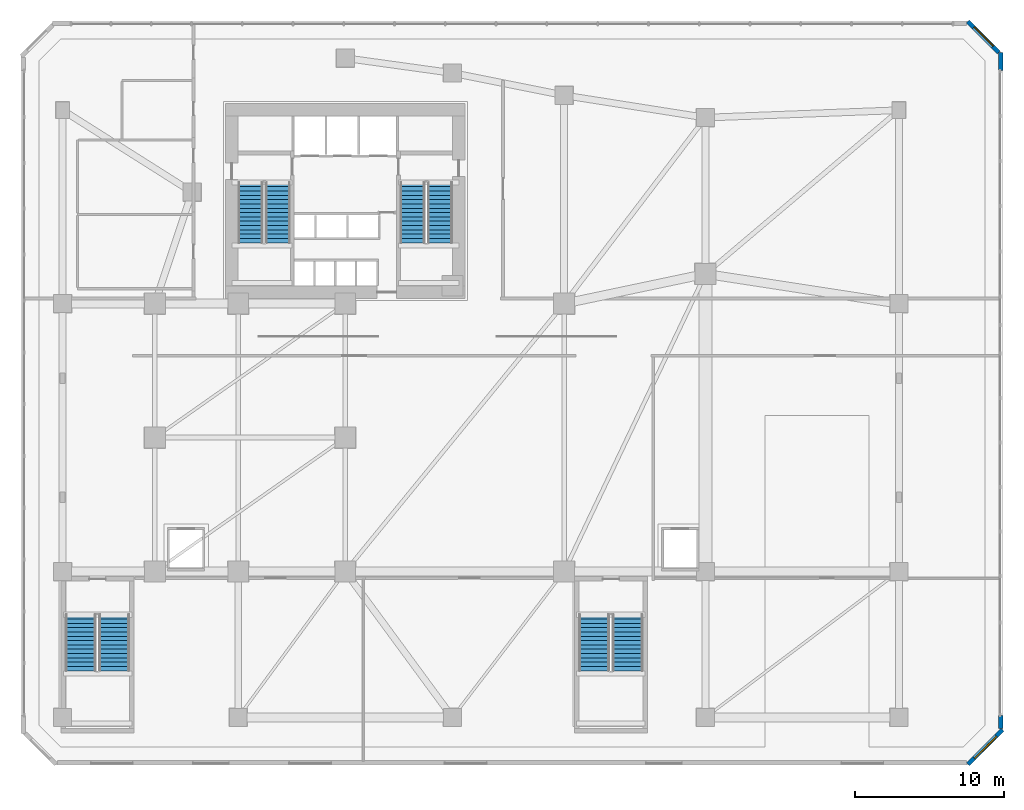
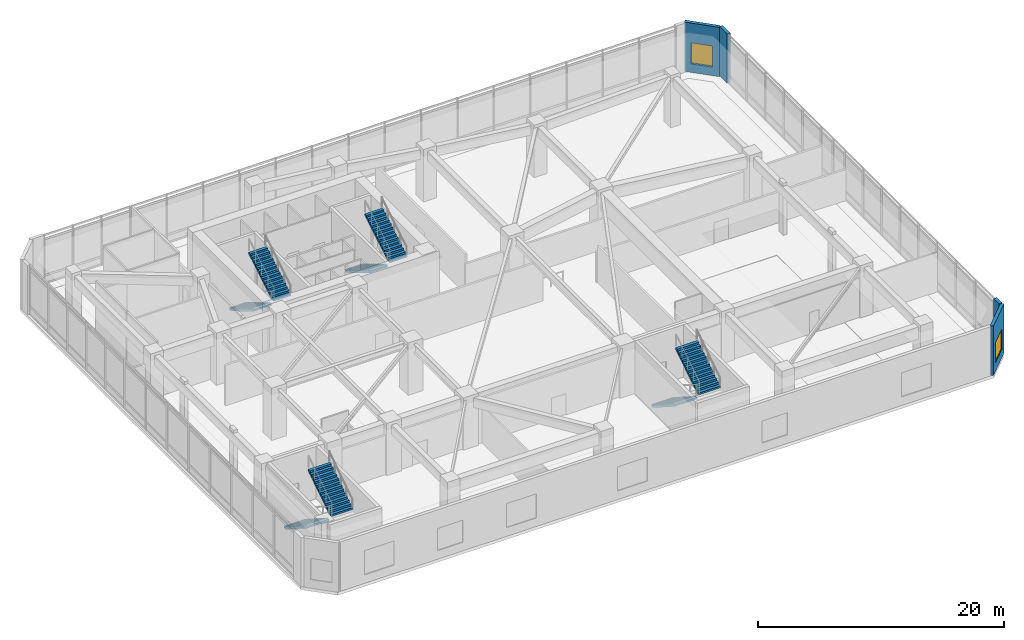
# One storey, part 12 of 16: 8 stair flights, 4 walls, 2 windows, 2 openings, 4 elements without a shape of their own.
"""IFC4 building model written with IfcOpenShell, lengths in metres."""

from ifc_helpers import new_model, si_unit, direction, frame, frame_2d, origin, place, context, subcontext, project, spatial, polyline, rectangle, outline, extrude, source, transform, mapped, material, layer, layer_set, type_object, element, fill, aggregate, save


model = new_model("IFC4")

# Units and contexts
model_context = context("Model", 3, precision=1e-05, world=origin(), true_north=direction((0.0, 1.0)))
body_context = subcontext(model_context, "Body", "Model", "MODEL_VIEW")
ifc_project = project(units=[si_unit("LENGTHUNIT", "METRE"), si_unit("AREAUNIT", "SQUARE_METRE"), si_unit("VOLUMEUNIT", "CUBIC_METRE"), si_unit("PLANEANGLEUNIT", "RADIAN"), si_unit("MASSUNIT", "GRAM", prefix="KILO")], contexts=[model_context])

# Site, building, storey
site_placement = place(None, origin())
site = spatial("IfcSite", under=ifc_project, at=site_placement, CompositionType="ELEMENT")
building_placement = place(site_placement, origin())
building = spatial("IfcBuilding", under=site, at=building_placement, Name="Calvemar Wedge Station Tower", CompositionType="ELEMENT")
storey_placement = place(building_placement, frame((0.0, 0.0, 6.0)))
storey = spatial("IfcBuildingStorey", under=building, at=storey_placement, Name="L02", CompositionType="ELEMENT", Elevation=6.0)

# Wall, opening, window
ifc_material_1 = material(Name="Precast concrete C45", Category="concrete")
ifc_layer = layer(ifc_material_1, 0.300048828125)
ifc_layer_set = layer_set([ifc_layer], Name="Precast concrete C45")
wall_type = type_object("IfcWallType", Name="W-EXT-GFRC-300", PredefinedType="SOLIDWALL", material=ifc_layer_set)
wall_1_placement = place(storey_placement, frame((65.6318359375, 2.0439453125, 0.0), z_axis=(0.0, 0.0, 1.0), x_axis=(0.707106781187, 0.707106781187, 0.0)))
wall_1 = element("IfcWall", 1, at=wall_1_placement, inside=storey, type_object=wall_type, Name="Storey L02 Bronze GFRC Exterior Wall 1", PredefinedType="SOLIDWALL", context=body_context, shape_type="SweptSolid", body=[
    extrude(rectangle(XDim=3.286865234375, YDim=0.300048828125, at=frame_2d((1.6435546875, 0.0))), origin(), (0.0, 0.0, 1.0), 4.89990234375),
])
shared_shape_1 = source(origin(), body_context, "Body", "SweptSolid", [
    extrude(rectangle(XDim=2.10009765625, YDim=2.0, at=frame_2d((1.050048828125, 1.0))), frame((0.0, 0.16015625, 0.0), z_axis=(0.0, -1.0, 0.0), x_axis=(1.0, 0.0, 0.0)), (0.0, 0.0, 1.0), 0.320068359375),
])
opening_1_placement = place(wall_1_placement, frame((0.593994140625, 0.0, 0.85009765625)))
opening_1 = element("IfcOpeningElement", 2, at=opening_1_placement, cuts=wall_1, Name="Opening W4", PredefinedType="OPENING", context=body_context, shape_type="MappedRepresentation", body=[
    mapped(shared_shape_1, transform((0.0, 0.0, 0.0), scale=1.0)),
])
ifc_material_2 = material(Name="Low-E laminated insulated glass", Category="glass")
window_type_1 = type_object("IfcWindowType", Name="WIN-EXT-4", PartitioningType="SINGLE_PANEL", PredefinedType="WINDOW", material=ifc_material_2)
shared_shape_2 = source(origin(), body_context, "Body", "SweptSolid", [
    extrude(rectangle(XDim=2.10009765625, YDim=2.0, at=frame_2d((1.050048828125, 1.0))), frame((0.0, -0.014892578125, 0.0), z_axis=(0.0, -1.0, 0.0), x_axis=(1.0, 0.0, 0.0)), (0.0, 0.0, 1.0), 0.06005859375),
])
window_1_placement = place(opening_1_placement, origin())
window_1 = element("IfcWindow", 3, at=window_1_placement, inside=storey, type_object=window_type_1, Name="Storey L02 Recessed Window 1.1", OverallHeight=2.0, OverallWidth=2.10009765625, PartitioningType="SINGLE_PANEL", PredefinedType="WINDOW", context=body_context, shape_type="MappedRepresentation", body=[
    mapped(shared_shape_2, transform((0.0, 0.0, 0.0), scale=1.0)),
])
fill(opening_1, window_1)

# Walls
wall_2_placement = place(storey_placement, frame((67.85009765625, 4.457275390625, 0.0), z_axis=(0.0, 0.0, 1.0), x_axis=(0.0, 1.0, 0.0)))
element("IfcWall", 4, at=wall_2_placement, inside=storey, type_object=wall_type, Name="Storey L02 Bronze GFRC Corner Pier 2A", PredefinedType="SOLIDWALL", context=body_context, shape_type="SweptSolid", body=[
    extrude(rectangle(XDim=0.87744140625, YDim=0.300048828125, at=frame_2d((0.438720703125, 0.0))), origin(), (0.0, 0.0, 1.0), 4.89990234375),
])
wall_3_placement = place(storey_placement, frame((67.85009765625, 48.665283203125, 0.0), z_axis=(0.0, 0.0, 1.0), x_axis=(0.0, 1.0, 0.0)))
element("IfcWall", 5, at=wall_3_placement, inside=storey, type_object=wall_type, Name="Storey L02 Bronze GFRC Corner Pier 2B", PredefinedType="SOLIDWALL", context=body_context, shape_type="SweptSolid", body=[
    extrude(rectangle(XDim=1.22265625, YDim=0.300048828125, at=frame_2d((0.611328125, 0.0))), origin(), (0.0, 0.0, 1.0), 4.89990234375),
])

# Wall, opening, window
wall_4_placement = place(storey_placement, frame((67.7119140625, 49.8759765625, 0.0), z_axis=(0.0, 0.0, 1.0), x_axis=(-0.707106781187, 0.707106781187, 0.0)))
wall_4 = element("IfcWall", 6, at=wall_4_placement, inside=storey, type_object=wall_type, Name="Storey L02 Bronze GFRC Exterior Wall 3", PredefinedType="SOLIDWALL", context=body_context, shape_type="SweptSolid", body=[
    extrude(rectangle(XDim=2.941650390625, YDim=0.300048828125, at=frame_2d((1.470703125, 0.0))), origin(), (0.0, 0.0, 1.0), 4.89990234375),
])
shared_shape_3 = source(origin(), body_context, "Body", "SweptSolid", [
    extrude(rectangle(XDim=1.800048828125, YDim=2.10009765625, at=frame_2d((0.89990234375, 1.050048828125))), frame((0.0, 0.16015625, 0.0), z_axis=(0.0, -1.0, 0.0), x_axis=(1.0, 0.0, 0.0)), (0.0, 0.0, 1.0), 0.320068359375),
])
opening_2_placement = place(wall_4_placement, frame((0.571044921875, 0.0, 0.85009765625)))
opening_2 = element("IfcOpeningElement", 7, at=opening_2_placement, cuts=wall_4, Name="Opening W2", PredefinedType="OPENING", context=body_context, shape_type="MappedRepresentation", body=[
    mapped(shared_shape_3, transform((0.0, 0.0, 0.0), scale=1.0)),
])
window_type_2 = type_object("IfcWindowType", Name="WIN-EXT-2", PartitioningType="SINGLE_PANEL", PredefinedType="WINDOW", material=ifc_material_2)
shared_shape_4 = source(origin(), body_context, "Body", "SweptSolid", [
    extrude(rectangle(XDim=1.800048828125, YDim=2.10009765625, at=frame_2d((0.89990234375, 1.050048828125))), frame((0.0, -0.014892578125, 0.0), z_axis=(0.0, -1.0, 0.0), x_axis=(1.0, 0.0, 0.0)), (0.0, 0.0, 1.0), 0.06005859375),
])
window_2_placement = place(opening_2_placement, origin())
window_2 = element("IfcWindow", 8, at=window_2_placement, inside=storey, type_object=window_type_2, Name="Storey L02 Recessed Window 3.1", OverallHeight=2.10009765625, OverallWidth=1.800048828125, PartitioningType="SINGLE_PANEL", PredefinedType="WINDOW", context=body_context, shape_type="MappedRepresentation", body=[
    mapped(shared_shape_4, transform((0.0, 0.0, 0.0), scale=1.0)),
])
fill(opening_2, window_2)

# Stair, stair flights
ifc_material_3 = material(Name="Concrete C45", Category="concrete")
stair_type_1 = type_object("IfcStairType", Name="ST-TYPE-5200", PredefinedType="HALF_TURN_STAIR", material=ifc_material_3)
stair_1_placement = place(storey_placement, origin())
stair_1 = element("IfcStair", 9, at=stair_1_placement, inside=storey, type_object=stair_type_1, Name="L02 Pressurized Core Exit Stair ST-C1", PredefinedType="HALF_TURN_STAIR")
stair_flight_type_1 = type_object("IfcStairFlightType", Name="STF-TYPE-5200", PredefinedType="STRAIGHT", material=ifc_material_3)
stair_flight_1_placement = place(storey_placement, frame((17.429931640625, 41.14990234375, 0.0), z_axis=(0.0, 0.0, 1.0), x_axis=(0.0, -1.0, 0.0)))
stair_flight_1 = element("IfcStairFlight", 10, at=stair_flight_1_placement, type_object=stair_flight_type_1, Name="ST-C1 flight 1", NumberOfRisers=15, NumberOfTreads=14, PredefinedType="STRAIGHT", RiserHeight=0.173333333, TreadLength=0.29, context=body_context, shape_type="SweptSolid", body=[
    extrude(outline(polyline([(0.0, 0.0), (0.0, 0.17333984375), (0.2900390625, 0.17333984375), (0.2900390625, 0.3466796875), (0.580078125, 0.3466796875), (0.580078125, 0.52001953125), (0.8701171875, 0.52001953125), (0.8701171875, 0.693359375), (1.159912109375, 0.693359375), (1.159912109375, 0.86669921875), (1.449951171875, 0.86669921875), (1.449951171875, 1.0400390625), (1.739990234375, 1.0400390625), (1.739990234375, 1.21337890625), (2.030029296875, 1.21337890625), (2.030029296875, 1.38671875), (2.320068359375, 1.38671875), (2.320068359375, 1.56005859375), (2.610107421875, 1.56005859375), (2.610107421875, 1.7333984375), (2.89990234375, 1.7333984375), (2.89990234375, 1.90673828125), (3.18994140625, 1.90673828125), (3.18994140625, 2.080078125), (3.47998046875, 2.080078125), (3.47998046875, 2.25341796875), (3.77001953125, 2.25341796875), (3.77001953125, 2.4267578125), (4.06005859375, 2.4267578125), (4.06005859375, 2.60009765625), (4.06005859375, 2.251953125), (0.292236328125, 0.0), (0.0, 0.0)])), frame((0.0, 0.830078125, 0.0), z_axis=(0.0, -1.0, 0.0), x_axis=(1.0, 0.0, 0.0)), (0.0, 0.0, 1.0), 1.659912109375),
])
stair_flight_2_placement = place(storey_placement, frame((19.27001953125, 37.090087890625, 2.60009765625), z_axis=(0.0, 0.0, 1.0), x_axis=(0.0, 1.0, 0.0)))
stair_flight_2 = element("IfcStairFlight", 11, at=stair_flight_2_placement, type_object=stair_flight_type_1, Name="ST-C1 flight 2", NumberOfRisers=15, NumberOfTreads=14, PredefinedType="STRAIGHT", RiserHeight=0.173333333, TreadLength=0.29, context=body_context, shape_type="SweptSolid", body=[
    extrude(outline(polyline([(0.0, 0.0), (0.0, 0.17333984375), (0.2900390625, 0.17333984375), (0.2900390625, 0.3466796875), (0.580078125, 0.3466796875), (0.580078125, 0.52001953125), (0.8701171875, 0.52001953125), (0.8701171875, 0.693359375), (1.159912109375, 0.693359375), (1.159912109375, 0.86669921875), (1.449951171875, 0.86669921875), (1.449951171875, 1.0400390625), (1.739990234375, 1.0400390625), (1.739990234375, 1.21337890625), (2.030029296875, 1.21337890625), (2.030029296875, 1.38671875), (2.320068359375, 1.38671875), (2.320068359375, 1.56005859375), (2.610107421875, 1.56005859375), (2.610107421875, 1.7333984375), (2.89990234375, 1.7333984375), (2.89990234375, 1.90673828125), (3.18994140625, 1.90673828125), (3.18994140625, 2.080078125), (3.47998046875, 2.080078125), (3.47998046875, 2.25341796875), (3.77001953125, 2.25341796875), (3.77001953125, 2.4267578125), (4.06005859375, 2.4267578125), (4.06005859375, 2.60009765625), (4.06005859375, 2.251953125), (0.292236328125, 0.0), (0.0, 0.0)])), frame((0.0, 0.830078125, 0.0), z_axis=(0.0, -1.0, 0.0), x_axis=(1.0, 0.0, 0.0)), (0.0, 0.0, 1.0), 1.659912109375),
])
aggregate(stair_1, [stair_flight_1, stair_flight_2])

stair_2_placement = place(storey_placement, origin())
stair_2 = element("IfcStair", 12, at=stair_2_placement, inside=storey, type_object=stair_type_1, Name="L02 Pressurized Core Exit Stair ST-C2", PredefinedType="HALF_TURN_STAIR")
stair_flight_3_placement = place(storey_placement, frame((28.330078125, 41.14990234375, 0.0), z_axis=(0.0, 0.0, 1.0), x_axis=(0.0, -1.0, 0.0)))
stair_flight_3 = element("IfcStairFlight", 13, at=stair_flight_3_placement, type_object=stair_flight_type_1, Name="ST-C2 flight 1", NumberOfRisers=15, NumberOfTreads=14, PredefinedType="STRAIGHT", RiserHeight=0.173333333, TreadLength=0.29, context=body_context, shape_type="SweptSolid", body=[
    extrude(outline(polyline([(0.0, 0.0), (0.0, 0.17333984375), (0.2900390625, 0.17333984375), (0.2900390625, 0.3466796875), (0.580078125, 0.3466796875), (0.580078125, 0.52001953125), (0.8701171875, 0.52001953125), (0.8701171875, 0.693359375), (1.159912109375, 0.693359375), (1.159912109375, 0.86669921875), (1.449951171875, 0.86669921875), (1.449951171875, 1.0400390625), (1.739990234375, 1.0400390625), (1.739990234375, 1.21337890625), (2.030029296875, 1.21337890625), (2.030029296875, 1.38671875), (2.320068359375, 1.38671875), (2.320068359375, 1.56005859375), (2.610107421875, 1.56005859375), (2.610107421875, 1.7333984375), (2.89990234375, 1.7333984375), (2.89990234375, 1.90673828125), (3.18994140625, 1.90673828125), (3.18994140625, 2.080078125), (3.47998046875, 2.080078125), (3.47998046875, 2.25341796875), (3.77001953125, 2.25341796875), (3.77001953125, 2.4267578125), (4.06005859375, 2.4267578125), (4.06005859375, 2.60009765625), (4.06005859375, 2.251953125), (0.292236328125, 0.0), (0.0, 0.0)])), frame((0.0, 0.830078125, 0.0), z_axis=(0.0, -1.0, 0.0), x_axis=(1.0, 0.0, 0.0)), (0.0, 0.0, 1.0), 1.659912109375),
])
stair_flight_4_placement = place(storey_placement, frame((30.169921875, 37.090087890625, 2.60009765625), z_axis=(0.0, 0.0, 1.0), x_axis=(0.0, 1.0, 0.0)))
stair_flight_4 = element("IfcStairFlight", 14, at=stair_flight_4_placement, type_object=stair_flight_type_1, Name="ST-C2 flight 2", NumberOfRisers=15, NumberOfTreads=14, PredefinedType="STRAIGHT", RiserHeight=0.173333333, TreadLength=0.29, context=body_context, shape_type="SweptSolid", body=[
    extrude(outline(polyline([(0.0, 0.0), (0.0, 0.17333984375), (0.2900390625, 0.17333984375), (0.2900390625, 0.3466796875), (0.580078125, 0.3466796875), (0.580078125, 0.52001953125), (0.8701171875, 0.52001953125), (0.8701171875, 0.693359375), (1.159912109375, 0.693359375), (1.159912109375, 0.86669921875), (1.449951171875, 0.86669921875), (1.449951171875, 1.0400390625), (1.739990234375, 1.0400390625), (1.739990234375, 1.21337890625), (2.030029296875, 1.21337890625), (2.030029296875, 1.38671875), (2.320068359375, 1.38671875), (2.320068359375, 1.56005859375), (2.610107421875, 1.56005859375), (2.610107421875, 1.7333984375), (2.89990234375, 1.7333984375), (2.89990234375, 1.90673828125), (3.18994140625, 1.90673828125), (3.18994140625, 2.080078125), (3.47998046875, 2.080078125), (3.47998046875, 2.25341796875), (3.77001953125, 2.25341796875), (3.77001953125, 2.4267578125), (4.06005859375, 2.4267578125), (4.06005859375, 2.60009765625), (4.06005859375, 2.251953125), (0.292236328125, 0.0), (0.0, 0.0)])), frame((0.0, 0.830078125, 0.0), z_axis=(0.0, -1.0, 0.0), x_axis=(1.0, 0.0, 0.0)), (0.0, 0.0, 1.0), 1.659912109375),
])
aggregate(stair_2, [stair_flight_3, stair_flight_4])

stair_type_2 = type_object("IfcStairType", Name="ST-TYPE-POD5200", PredefinedType="HALF_TURN_STAIR", material=ifc_material_3)
stair_3_placement = place(storey_placement, origin())
stair_3 = element("IfcStair", 15, at=stair_3_placement, inside=storey, type_object=stair_type_2, Name="L02 Station Podium Exit Stair ST-P1", PredefinedType="HALF_TURN_STAIR")
stair_flight_type_2 = type_object("IfcStairFlightType", Name="STF-TYPE-POD5200", PredefinedType="STRAIGHT", material=ifc_material_3)
stair_flight_5_placement = place(storey_placement, frame((6.02490234375, 12.10009765625, 0.0), z_axis=(0.0, 0.0, 1.0), x_axis=(0.0, -1.0, 0.0)))
stair_flight_5 = element("IfcStairFlight", 16, at=stair_flight_5_placement, type_object=stair_flight_type_2, Name="ST-P1 flight 1", NumberOfRisers=14, NumberOfTreads=13, PredefinedType="STRAIGHT", RiserHeight=0.185714286, TreadLength=0.29, context=body_context, shape_type="SweptSolid", body=[
    extrude(outline(polyline([(0.0, 0.0), (0.0, 0.185791015625), (0.2900390625, 0.185791015625), (0.2900390625, 0.371337890625), (0.580078125, 0.371337890625), (0.580078125, 0.55712890625), (0.8701171875, 0.55712890625), (0.8701171875, 0.742919921875), (1.159912109375, 0.742919921875), (1.159912109375, 0.928466796875), (1.449951171875, 0.928466796875), (1.449951171875, 1.1142578125), (1.739990234375, 1.1142578125), (1.739990234375, 1.300048828125), (2.030029296875, 1.300048828125), (2.030029296875, 1.485595703125), (2.320068359375, 1.485595703125), (2.320068359375, 1.67138671875), (2.610107421875, 1.67138671875), (2.610107421875, 1.857177734375), (2.89990234375, 1.857177734375), (2.89990234375, 2.04296875), (3.18994140625, 2.04296875), (3.18994140625, 2.228515625), (3.47998046875, 2.228515625), (3.47998046875, 2.414306640625), (3.77001953125, 2.414306640625), (3.77001953125, 2.60009765625), (3.77001953125, 2.236328125), (0.278076171875, 0.0), (0.0, 0.0)])), frame((0.0, 1.02490234375, 0.0), z_axis=(0.0, -1.0, 0.0), x_axis=(1.0, 0.0, 0.0)), (0.0, 0.0, 1.0), 2.050048828125),
])
stair_flight_6_placement = place(storey_placement, frame((8.27490234375, 8.330078125, 2.60009765625), z_axis=(0.0, 0.0, 1.0), x_axis=(0.0, 1.0, 0.0)))
stair_flight_6 = element("IfcStairFlight", 17, at=stair_flight_6_placement, type_object=stair_flight_type_2, Name="ST-P1 flight 2", NumberOfRisers=14, NumberOfTreads=13, PredefinedType="STRAIGHT", RiserHeight=0.185714286, TreadLength=0.29, context=body_context, shape_type="SweptSolid", body=[
    extrude(outline(polyline([(0.0, 0.0), (0.0, 0.185791015625), (0.2900390625, 0.185791015625), (0.2900390625, 0.371337890625), (0.580078125, 0.371337890625), (0.580078125, 0.55712890625), (0.8701171875, 0.55712890625), (0.8701171875, 0.742919921875), (1.159912109375, 0.742919921875), (1.159912109375, 0.928466796875), (1.449951171875, 0.928466796875), (1.449951171875, 1.1142578125), (1.739990234375, 1.1142578125), (1.739990234375, 1.300048828125), (2.030029296875, 1.300048828125), (2.030029296875, 1.485595703125), (2.320068359375, 1.485595703125), (2.320068359375, 1.67138671875), (2.610107421875, 1.67138671875), (2.610107421875, 1.857177734375), (2.89990234375, 1.857177734375), (2.89990234375, 2.04296875), (3.18994140625, 2.04296875), (3.18994140625, 2.228515625), (3.47998046875, 2.228515625), (3.47998046875, 2.414306640625), (3.77001953125, 2.414306640625), (3.77001953125, 2.60009765625), (3.77001953125, 2.236328125), (0.278076171875, 0.0), (0.0, 0.0)])), frame((0.0, 1.02490234375, 0.0), z_axis=(0.0, -1.0, 0.0), x_axis=(1.0, 0.0, 0.0)), (0.0, 0.0, 1.0), 2.050048828125),
])
aggregate(stair_3, [stair_flight_5, stair_flight_6])

stair_4_placement = place(storey_placement, origin())
stair_4 = element("IfcStair", 18, at=stair_4_placement, inside=storey, type_object=stair_type_2, Name="L02 Station Podium Exit Stair ST-P2", PredefinedType="HALF_TURN_STAIR")
stair_flight_7_placement = place(storey_placement, frame((40.52490234375, 12.10009765625, 0.0), z_axis=(0.0, 0.0, 1.0), x_axis=(0.0, -1.0, 0.0)))
stair_flight_7 = element("IfcStairFlight", 19, at=stair_flight_7_placement, type_object=stair_flight_type_2, Name="ST-P2 flight 1", NumberOfRisers=14, NumberOfTreads=13, PredefinedType="STRAIGHT", RiserHeight=0.185714286, TreadLength=0.29, context=body_context, shape_type="SweptSolid", body=[
    extrude(outline(polyline([(0.0, 0.0), (0.0, 0.185791015625), (0.2900390625, 0.185791015625), (0.2900390625, 0.371337890625), (0.580078125, 0.371337890625), (0.580078125, 0.55712890625), (0.8701171875, 0.55712890625), (0.8701171875, 0.742919921875), (1.159912109375, 0.742919921875), (1.159912109375, 0.928466796875), (1.449951171875, 0.928466796875), (1.449951171875, 1.1142578125), (1.739990234375, 1.1142578125), (1.739990234375, 1.300048828125), (2.030029296875, 1.300048828125), (2.030029296875, 1.485595703125), (2.320068359375, 1.485595703125), (2.320068359375, 1.67138671875), (2.610107421875, 1.67138671875), (2.610107421875, 1.857177734375), (2.89990234375, 1.857177734375), (2.89990234375, 2.04296875), (3.18994140625, 2.04296875), (3.18994140625, 2.228515625), (3.47998046875, 2.228515625), (3.47998046875, 2.414306640625), (3.77001953125, 2.414306640625), (3.77001953125, 2.60009765625), (3.77001953125, 2.236328125), (0.278076171875, 0.0), (0.0, 0.0)])), frame((0.0, 1.02490234375, 0.0), z_axis=(0.0, -1.0, 0.0), x_axis=(1.0, 0.0, 0.0)), (0.0, 0.0, 1.0), 2.050048828125),
])
stair_flight_8_placement = place(storey_placement, frame((42.77490234375, 8.330078125, 2.60009765625), z_axis=(0.0, 0.0, 1.0), x_axis=(0.0, 1.0, 0.0)))
stair_flight_8 = element("IfcStairFlight", 20, at=stair_flight_8_placement, type_object=stair_flight_type_2, Name="ST-P2 flight 2", NumberOfRisers=14, NumberOfTreads=13, PredefinedType="STRAIGHT", RiserHeight=0.185714286, TreadLength=0.29, context=body_context, shape_type="SweptSolid", body=[
    extrude(outline(polyline([(0.0, 0.0), (0.0, 0.185791015625), (0.2900390625, 0.185791015625), (0.2900390625, 0.371337890625), (0.580078125, 0.371337890625), (0.580078125, 0.55712890625), (0.8701171875, 0.55712890625), (0.8701171875, 0.742919921875), (1.159912109375, 0.742919921875), (1.159912109375, 0.928466796875), (1.449951171875, 0.928466796875), (1.449951171875, 1.1142578125), (1.739990234375, 1.1142578125), (1.739990234375, 1.300048828125), (2.030029296875, 1.300048828125), (2.030029296875, 1.485595703125), (2.320068359375, 1.485595703125), (2.320068359375, 1.67138671875), (2.610107421875, 1.67138671875), (2.610107421875, 1.857177734375), (2.89990234375, 1.857177734375), (2.89990234375, 2.04296875), (3.18994140625, 2.04296875), (3.18994140625, 2.228515625), (3.47998046875, 2.228515625), (3.47998046875, 2.414306640625), (3.77001953125, 2.414306640625), (3.77001953125, 2.60009765625), (3.77001953125, 2.236328125), (0.278076171875, 0.0), (0.0, 0.0)])), frame((0.0, 1.02490234375, 0.0), z_axis=(0.0, -1.0, 0.0), x_axis=(1.0, 0.0, 0.0)), (0.0, 0.0, 1.0), 2.050048828125),
])
aggregate(stair_4, [stair_flight_7, stair_flight_8])

save(model, "model.ifc")
